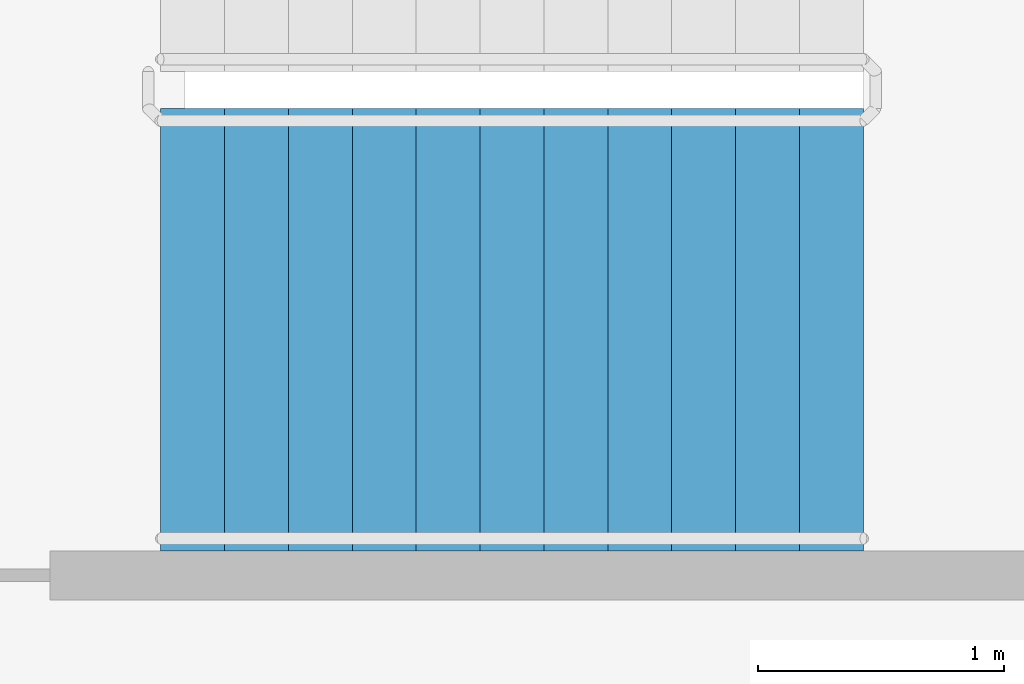
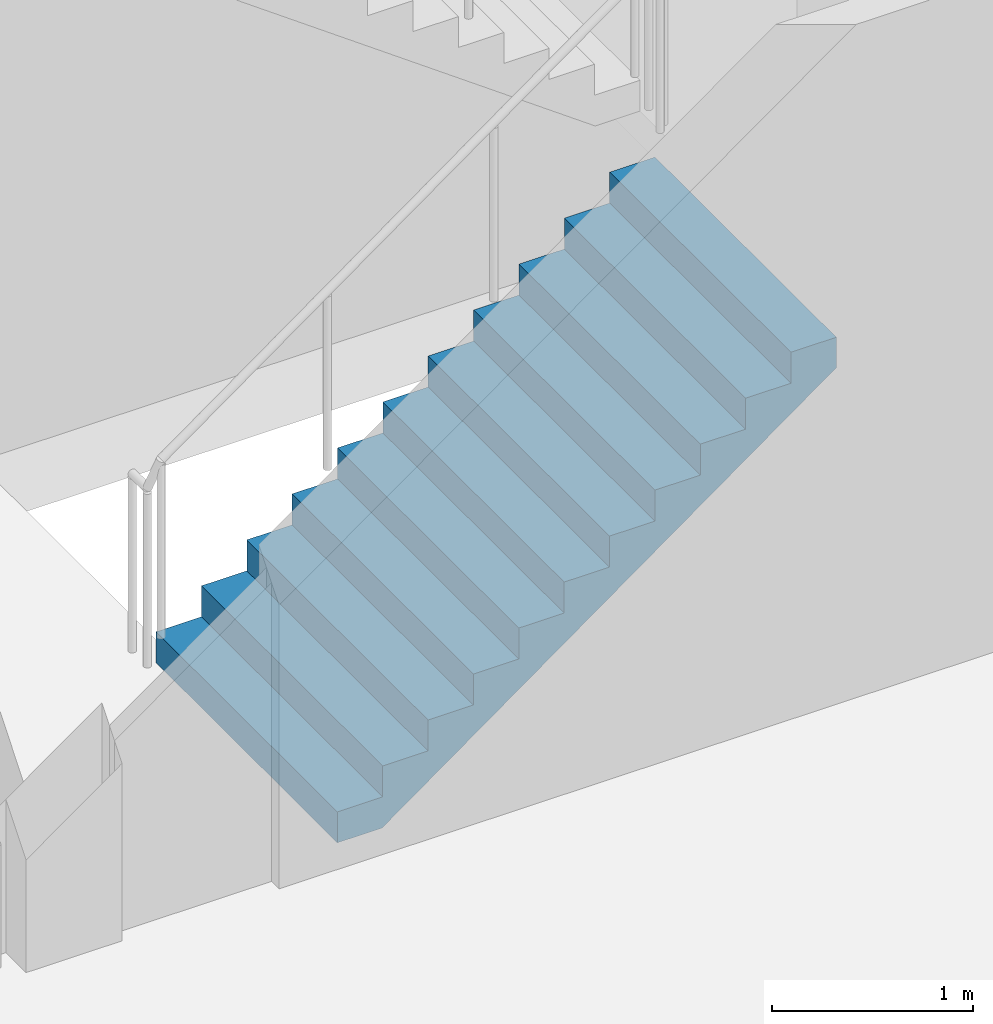
# One storey, part 27 of 51: 1 stair flight, 1 element without a shape of its own.
"""IFC4 building model written with IfcOpenShell, lengths in metres."""

from ifc_helpers import new_model, si_unit, direction, frame, origin, place, context, subcontext, project, spatial, faceted_brep, material, type_object, element, aggregate, save


model = new_model("IFC4")

# Units and contexts
model_context = context("Model", 3, precision=1e-05, world=origin(), true_north=direction((0.0, 1.0)))
body_context = subcontext(model_context, "Body", "Model", "MODEL_VIEW")
ifc_project = project(units=[si_unit("LENGTHUNIT", "METRE"), si_unit("AREAUNIT", "SQUARE_METRE"), si_unit("VOLUMEUNIT", "CUBIC_METRE"), si_unit("PLANEANGLEUNIT", "RADIAN"), si_unit("MASSUNIT", "GRAM", prefix="KILO")], contexts=[model_context])

# Site, building, storey
site_placement = place(None, origin())
site = spatial("IfcSite", under=ifc_project, at=site_placement, CompositionType="ELEMENT")
building_placement = place(site_placement, origin())
building = spatial("IfcBuilding", under=site, at=building_placement, Name="Ipe Terrace Towers", CompositionType="ELEMENT")
storey_placement = place(building_placement, frame((0.0, 0.0, 15.5)))
storey = spatial("IfcBuildingStorey", under=building, at=storey_placement, Name="L03", CompositionType="ELEMENT", Elevation=15.5)

# Stair, stair flight
ifc_material_1 = material(Name="Concrete C30/37", Category="concrete")
stair_type = type_object("IfcStairType", Name="Protected exit stair", PredefinedType="HALF_TURN_STAIR", material=ifc_material_1)
stair_placement = place(storey_placement, origin())
stair = element("IfcStair", 1, at=stair_placement, inside=storey, type_object=stair_type, Name="L03 Podium exit stair PS4", PredefinedType="HALF_TURN_STAIR")
ifc_material_2 = material(Name="Concrete C30/37", Category="concrete")
stair_flight_type = type_object("IfcStairFlightType", Name="Exit stair flight 1800", PredefinedType="STRAIGHT", material=ifc_material_2)
stair_flight_placement = place(storey_placement, frame((-57.27001953125, -22.5, 0.0), z_axis=(0.0, 0.0, 1.0), x_axis=(1.0, 0.0, 0.0)))
stair_flight = element("IfcStairFlight", 2, at=stair_flight_placement, type_object=stair_flight_type, Name="PS4 flight 1", NumberOfRisers=12, NumberOfTreads=11, PredefinedType="STRAIGHT", RiserHeight=0.1875, TreadLength=0.26, context=body_context, shape_type="Brep", body=[
    faceted_brep([(0.25634765625, -0.89990234375, 0.0), (2.860107421875, -0.89990234375, 1.877685546875), (2.860107421875, -0.89990234375, 2.0625), (2.60009765625, -0.89990234375, 2.0625), (2.60009765625, -0.89990234375, 1.875), (2.340087890625, -0.89990234375, 1.875), (2.340087890625, -0.89990234375, 1.6875), (2.080078125, -0.89990234375, 1.6875), (2.080078125, -0.89990234375, 1.5), (1.820068359375, -0.89990234375, 1.5), (1.820068359375, -0.89990234375, 1.3125), (1.56005859375, -0.89990234375, 1.3125), (1.56005859375, -0.89990234375, 1.125), (1.300048828125, -0.89990234375, 1.125), (1.300048828125, -0.89990234375, 0.9375), (1.0400390625, -0.89990234375, 0.9375), (1.0400390625, -0.89990234375, 0.75), (0.780029296875, -0.89990234375, 0.75), (0.780029296875, -0.89990234375, 0.5625), (0.52001953125, -0.89990234375, 0.5625), (0.52001953125, -0.89990234375, 0.375), (0.260009765625, -0.89990234375, 0.375), (0.260009765625, -0.89990234375, 0.1875), (0.0, -0.89990234375, 0.1875), (0.0, -0.89990234375, 0.0), (0.0, 0.89990234375, 0.0), (0.0, 0.89990234375, 0.1875), (0.260009765625, 0.89990234375, 0.1875), (0.260009765625, 0.89990234375, 0.375), (0.52001953125, 0.89990234375, 0.375), (0.52001953125, 0.89990234375, 0.5625), (0.780029296875, 0.89990234375, 0.5625), (0.780029296875, 0.89990234375, 0.75), (1.0400390625, 0.89990234375, 0.75), (1.0400390625, 0.89990234375, 0.9375), (1.300048828125, 0.89990234375, 0.9375), (1.300048828125, 0.89990234375, 1.125), (1.56005859375, 0.89990234375, 1.125), (1.56005859375, 0.89990234375, 1.3125), (1.820068359375, 0.89990234375, 1.3125), (1.820068359375, 0.89990234375, 1.5), (2.080078125, 0.89990234375, 1.5), (2.080078125, 0.89990234375, 1.6875), (2.340087890625, 0.89990234375, 1.6875), (2.340087890625, 0.89990234375, 1.875), (2.60009765625, 0.89990234375, 1.875), (2.60009765625, 0.89990234375, 2.0625), (2.860107421875, 0.89990234375, 2.0625), (2.860107421875, 0.89990234375, 1.877685546875), (0.25634765625, 0.89990234375, 0.0), (0.0, -0.300048828125, 0.1875), (0.0, -0.1201171875, 0.1875), (0.0, -0.06005859375, 0.1875), (0.0, -0.030029296875, 0.1875), (0.0, -0.010009765625, 0.1875), (0.0, 0.0, 0.1875), (0.0, 0.010009765625, 0.1875), (0.0, 0.030029296875, 0.1875), (0.0, 0.06005859375, 0.1875), (0.0, 0.1201171875, 0.1875), (0.0, 0.300048828125, 0.1875), (0.0, 0.300048828125, 0.0), (0.0, 0.1201171875, 0.0), (0.0, 0.06005859375, 0.0), (0.0, 0.030029296875, 0.0), (0.0, 0.010009765625, 0.0), (0.0, 0.0, 0.0), (0.0, -0.010009765625, 0.0), (0.0, -0.030029296875, 0.0), (0.0, -0.06005859375, 0.0), (0.0, -0.1201171875, 0.0), (0.0, -0.300048828125, 0.0), (0.260009765625, -0.300048828125, 0.1875), (0.260009765625, -0.1201171875, 0.1875), (0.260009765625, -0.06005859375, 0.1875), (0.260009765625, -0.030029296875, 0.1875), (0.260009765625, -0.010009765625, 0.1875), (0.260009765625, 0.0, 0.1875), (0.260009765625, 0.010009765625, 0.1875), (0.260009765625, 0.030029296875, 0.1875), (0.260009765625, 0.06005859375, 0.1875), (0.260009765625, 0.1201171875, 0.1875), (0.260009765625, 0.300048828125, 0.1875), (0.260009765625, -0.300048828125, 0.375), (0.260009765625, -0.1201171875, 0.375), (0.260009765625, -0.06005859375, 0.375), (0.260009765625, -0.030029296875, 0.375), (0.260009765625, -0.010009765625, 0.375), (0.260009765625, 0.0, 0.375), (0.260009765625, 0.010009765625, 0.375), (0.260009765625, 0.030029296875, 0.375), (0.260009765625, 0.06005859375, 0.375), (0.260009765625, 0.1201171875, 0.375), (0.260009765625, 0.300048828125, 0.375), (0.52001953125, -0.300048828125, 0.375), (0.52001953125, -0.1201171875, 0.375), (0.52001953125, -0.06005859375, 0.375), (0.52001953125, -0.030029296875, 0.375), (0.52001953125, -0.010009765625, 0.375), (0.52001953125, 0.0, 0.375), (0.52001953125, 0.010009765625, 0.375), (0.52001953125, 0.030029296875, 0.375), (0.52001953125, 0.06005859375, 0.375), (0.52001953125, 0.1201171875, 0.375), (0.52001953125, 0.300048828125, 0.375), (0.52001953125, -0.300048828125, 0.5625), (0.52001953125, -0.1201171875, 0.5625), (0.52001953125, -0.06005859375, 0.5625), (0.52001953125, -0.030029296875, 0.5625), (0.52001953125, -0.010009765625, 0.5625), (0.52001953125, 0.0, 0.5625), (0.52001953125, 0.010009765625, 0.5625), (0.52001953125, 0.030029296875, 0.5625), (0.52001953125, 0.06005859375, 0.5625), (0.52001953125, 0.1201171875, 0.5625), (0.52001953125, 0.300048828125, 0.5625), (0.780029296875, -0.300048828125, 0.5625), (0.780029296875, -0.1201171875, 0.5625), (0.780029296875, -0.06005859375, 0.5625), (0.780029296875, -0.030029296875, 0.5625), (0.780029296875, -0.010009765625, 0.5625), (0.780029296875, 0.0, 0.5625), (0.780029296875, 0.010009765625, 0.5625), (0.780029296875, 0.030029296875, 0.5625), (0.780029296875, 0.06005859375, 0.5625), (0.780029296875, 0.1201171875, 0.5625), (0.780029296875, 0.300048828125, 0.5625), (0.780029296875, -0.300048828125, 0.75), (0.780029296875, -0.1201171875, 0.75), (0.780029296875, -0.06005859375, 0.75), (0.780029296875, -0.030029296875, 0.75), (0.780029296875, -0.010009765625, 0.75), (0.780029296875, 0.0, 0.75), (0.780029296875, 0.010009765625, 0.75), (0.780029296875, 0.030029296875, 0.75), (0.780029296875, 0.06005859375, 0.75), (0.780029296875, 0.1201171875, 0.75), (0.780029296875, 0.300048828125, 0.75), (1.0400390625, -0.300048828125, 0.75), (1.0400390625, -0.1201171875, 0.75), (1.0400390625, -0.06005859375, 0.75), (1.0400390625, -0.030029296875, 0.75), (1.0400390625, -0.010009765625, 0.75), (1.0400390625, 0.0, 0.75), (1.0400390625, 0.010009765625, 0.75), (1.0400390625, 0.030029296875, 0.75), (1.0400390625, 0.06005859375, 0.75), (1.0400390625, 0.1201171875, 0.75), (1.0400390625, 0.300048828125, 0.75), (1.0400390625, -0.300048828125, 0.9375), (1.0400390625, -0.1201171875, 0.9375), (1.0400390625, -0.06005859375, 0.9375), (1.0400390625, -0.030029296875, 0.9375), (1.0400390625, -0.010009765625, 0.9375), (1.0400390625, 0.0, 0.9375), (1.0400390625, 0.010009765625, 0.9375), (1.0400390625, 0.030029296875, 0.9375), (1.0400390625, 0.06005859375, 0.9375), (1.0400390625, 0.1201171875, 0.9375), (1.0400390625, 0.300048828125, 0.9375), (1.300048828125, -0.300048828125, 0.9375), (1.300048828125, -0.1201171875, 0.9375), (1.300048828125, -0.06005859375, 0.9375), (1.300048828125, -0.030029296875, 0.9375), (1.300048828125, -0.010009765625, 0.9375), (1.300048828125, 0.0, 0.9375), (1.300048828125, 0.010009765625, 0.9375), (1.300048828125, 0.030029296875, 0.9375), (1.300048828125, 0.06005859375, 0.9375), (1.300048828125, 0.1201171875, 0.9375), (1.300048828125, 0.300048828125, 0.9375), (1.300048828125, -0.300048828125, 1.125), (1.300048828125, -0.1201171875, 1.125), (1.300048828125, -0.06005859375, 1.125), (1.300048828125, -0.030029296875, 1.125), (1.300048828125, -0.010009765625, 1.125), (1.300048828125, 0.0, 1.125), (1.300048828125, 0.010009765625, 1.125), (1.300048828125, 0.030029296875, 1.125), (1.300048828125, 0.06005859375, 1.125), (1.300048828125, 0.1201171875, 1.125), (1.300048828125, 0.300048828125, 1.125), (1.56005859375, -0.300048828125, 1.125), (1.56005859375, -0.1201171875, 1.125), (1.56005859375, -0.06005859375, 1.125), (1.56005859375, -0.030029296875, 1.125), (1.56005859375, -0.010009765625, 1.125), (1.56005859375, 0.0, 1.125), (1.56005859375, 0.010009765625, 1.125), (1.56005859375, 0.030029296875, 1.125), (1.56005859375, 0.06005859375, 1.125), (1.56005859375, 0.1201171875, 1.125), (1.56005859375, 0.300048828125, 1.125), (1.56005859375, -0.300048828125, 1.3125), (1.56005859375, -0.1201171875, 1.3125), (1.56005859375, -0.06005859375, 1.3125), (1.56005859375, -0.030029296875, 1.3125), (1.56005859375, -0.010009765625, 1.3125), (1.56005859375, 0.0, 1.3125), (1.56005859375, 0.010009765625, 1.3125), (1.56005859375, 0.030029296875, 1.3125), (1.56005859375, 0.06005859375, 1.3125), (1.56005859375, 0.1201171875, 1.3125), (1.56005859375, 0.300048828125, 1.3125), (1.820068359375, -0.300048828125, 1.3125), (1.820068359375, -0.1201171875, 1.3125), (1.820068359375, -0.06005859375, 1.3125), (1.820068359375, -0.030029296875, 1.3125), (1.820068359375, -0.010009765625, 1.3125), (1.820068359375, 0.0, 1.3125), (1.820068359375, 0.010009765625, 1.3125), (1.820068359375, 0.030029296875, 1.3125), (1.820068359375, 0.06005859375, 1.3125), (1.820068359375, 0.1201171875, 1.3125), (1.820068359375, 0.300048828125, 1.3125), (1.820068359375, -0.300048828125, 1.5), (1.820068359375, -0.1201171875, 1.5), (1.820068359375, -0.06005859375, 1.5), (1.820068359375, -0.030029296875, 1.5), (1.820068359375, -0.010009765625, 1.5), (1.820068359375, 0.0, 1.5), (1.820068359375, 0.010009765625, 1.5), (1.820068359375, 0.030029296875, 1.5), (1.820068359375, 0.06005859375, 1.5), (1.820068359375, 0.1201171875, 1.5), (1.820068359375, 0.300048828125, 1.5), (2.080078125, -0.300048828125, 1.5), (2.080078125, -0.1201171875, 1.5), (2.080078125, -0.06005859375, 1.5), (2.080078125, -0.030029296875, 1.5), (2.080078125, -0.010009765625, 1.5), (2.080078125, 0.0, 1.5), (2.080078125, 0.010009765625, 1.5), (2.080078125, 0.030029296875, 1.5), (2.080078125, 0.06005859375, 1.5), (2.080078125, 0.1201171875, 1.5), (2.080078125, 0.300048828125, 1.5), (2.080078125, -0.300048828125, 1.6875), (2.080078125, -0.1201171875, 1.6875), (2.080078125, -0.06005859375, 1.6875), (2.080078125, -0.030029296875, 1.6875), (2.080078125, -0.010009765625, 1.6875), (2.080078125, 0.0, 1.6875), (2.080078125, 0.010009765625, 1.6875), (2.080078125, 0.030029296875, 1.6875), (2.080078125, 0.06005859375, 1.6875), (2.080078125, 0.1201171875, 1.6875), (2.080078125, 0.300048828125, 1.6875), (2.340087890625, -0.300048828125, 1.6875), (2.340087890625, -0.1201171875, 1.6875), (2.340087890625, -0.06005859375, 1.6875), (2.340087890625, -0.030029296875, 1.6875), (2.340087890625, -0.010009765625, 1.6875), (2.340087890625, 0.0, 1.6875), (2.340087890625, 0.010009765625, 1.6875), (2.340087890625, 0.030029296875, 1.6875), (2.340087890625, 0.06005859375, 1.6875), (2.340087890625, 0.1201171875, 1.6875), (2.340087890625, 0.300048828125, 1.6875), (2.340087890625, -0.300048828125, 1.875), (2.340087890625, -0.1201171875, 1.875), (2.340087890625, -0.06005859375, 1.875), (2.340087890625, -0.030029296875, 1.875), (2.340087890625, -0.010009765625, 1.875), (2.340087890625, 0.0, 1.875), (2.340087890625, 0.010009765625, 1.875), (2.340087890625, 0.030029296875, 1.875), (2.340087890625, 0.06005859375, 1.875), (2.340087890625, 0.1201171875, 1.875), (2.340087890625, 0.300048828125, 1.875), (2.60009765625, -0.300048828125, 1.875), (2.60009765625, -0.1201171875, 1.875), (2.60009765625, -0.06005859375, 1.875), (2.60009765625, -0.030029296875, 1.875), (2.60009765625, -0.010009765625, 1.875), (2.60009765625, 0.0, 1.875), (2.60009765625, 0.010009765625, 1.875), (2.60009765625, 0.030029296875, 1.875), (2.60009765625, 0.06005859375, 1.875), (2.60009765625, 0.1201171875, 1.875), (2.60009765625, 0.300048828125, 1.875), (2.60009765625, -0.300048828125, 2.0625), (2.60009765625, -0.1201171875, 2.0625), (2.60009765625, -0.06005859375, 2.0625), (2.60009765625, -0.030029296875, 2.0625), (2.60009765625, -0.010009765625, 2.0625), (2.60009765625, 0.0, 2.0625), (2.60009765625, 0.010009765625, 2.0625), (2.60009765625, 0.030029296875, 2.0625), (2.60009765625, 0.06005859375, 2.0625), (2.60009765625, 0.1201171875, 2.0625), (2.60009765625, 0.300048828125, 2.0625), (2.860107421875, -0.300048828125, 2.0625), (2.860107421875, -0.1201171875, 2.0625), (2.860107421875, -0.06005859375, 2.0625), (2.860107421875, -0.030029296875, 2.0625), (2.860107421875, -0.010009765625, 2.0625), (2.860107421875, 0.0, 2.0625), (2.860107421875, 0.010009765625, 2.0625), (2.860107421875, 0.030029296875, 2.0625), (2.860107421875, 0.06005859375, 2.0625), (2.860107421875, 0.1201171875, 2.0625), (2.860107421875, 0.300048828125, 2.0625), (2.860107421875, -0.300048828125, 1.877685546875), (2.860107421875, -0.1201171875, 1.877685546875), (2.860107421875, -0.06005859375, 1.877685546875), (2.860107421875, -0.030029296875, 1.877685546875), (2.860107421875, -0.010009765625, 1.877685546875), (2.860107421875, 0.0, 1.877685546875), (2.860107421875, 0.010009765625, 1.877685546875), (2.860107421875, 0.030029296875, 1.877685546875), (2.860107421875, 0.06005859375, 1.877685546875), (2.860107421875, 0.1201171875, 1.877685546875), (2.860107421875, 0.300048828125, 1.877685546875), (0.25634765625, -0.300048828125, 0.0), (0.25634765625, -0.1201171875, 0.0), (0.25634765625, -0.06005859375, 0.0), (0.25634765625, -0.030029296875, 0.0), (0.25634765625, -0.010009765625, 0.0), (0.25634765625, 0.0, 0.0), (0.25634765625, 0.010009765625, 0.0), (0.25634765625, 0.030029296875, 0.0), (0.25634765625, 0.06005859375, 0.0), (0.25634765625, 0.1201171875, 0.0), (0.25634765625, 0.300048828125, 0.0)], [[[0, 1, 2, 3, 4, 5, 6, 7, 8, 9, 10, 11, 12, 13, 14, 15, 16, 17, 18, 19, 20, 21, 22, 23, 24]], [[25, 26, 27, 28, 29, 30, 31, 32, 33, 34, 35, 36, 37, 38, 39, 40, 41, 42, 43, 44, 45, 46, 47, 48, 49]], [[23, 50, 51, 52, 53, 54, 55, 56, 57, 58, 59, 60, 26, 25, 61, 62, 63, 64, 65, 66, 67, 68, 69, 70, 71, 24]], [[22, 72, 73, 74, 75, 76, 77, 78, 79, 80, 81, 82, 27, 26, 60, 59, 58, 57, 56, 55, 54, 53, 52, 51, 50, 23]], [[21, 83, 84, 85, 86, 87, 88, 89, 90, 91, 92, 93, 28, 27, 82, 81, 80, 79, 78, 77, 76, 75, 74, 73, 72, 22]], [[20, 94, 95, 96, 97, 98, 99, 100, 101, 102, 103, 104, 29, 28, 93, 92, 91, 90, 89, 88, 87, 86, 85, 84, 83, 21]], [[19, 105, 106, 107, 108, 109, 110, 111, 112, 113, 114, 115, 30, 29, 104, 103, 102, 101, 100, 99, 98, 97, 96, 95, 94, 20]], [[18, 116, 117, 118, 119, 120, 121, 122, 123, 124, 125, 126, 31, 30, 115, 114, 113, 112, 111, 110, 109, 108, 107, 106, 105, 19]], [[17, 127, 128, 129, 130, 131, 132, 133, 134, 135, 136, 137, 32, 31, 126, 125, 124, 123, 122, 121, 120, 119, 118, 117, 116, 18]], [[16, 138, 139, 140, 141, 142, 143, 144, 145, 146, 147, 148, 33, 32, 137, 136, 135, 134, 133, 132, 131, 130, 129, 128, 127, 17]], [[15, 149, 150, 151, 152, 153, 154, 155, 156, 157, 158, 159, 34, 33, 148, 147, 146, 145, 144, 143, 142, 141, 140, 139, 138, 16]], [[14, 160, 161, 162, 163, 164, 165, 166, 167, 168, 169, 170, 35, 34, 159, 158, 157, 156, 155, 154, 153, 152, 151, 150, 149, 15]], [[13, 171, 172, 173, 174, 175, 176, 177, 178, 179, 180, 181, 36, 35, 170, 169, 168, 167, 166, 165, 164, 163, 162, 161, 160, 14]], [[12, 182, 183, 184, 185, 186, 187, 188, 189, 190, 191, 192, 37, 36, 181, 180, 179, 178, 177, 176, 175, 174, 173, 172, 171, 13]], [[11, 193, 194, 195, 196, 197, 198, 199, 200, 201, 202, 203, 38, 37, 192, 191, 190, 189, 188, 187, 186, 185, 184, 183, 182, 12]], [[10, 204, 205, 206, 207, 208, 209, 210, 211, 212, 213, 214, 39, 38, 203, 202, 201, 200, 199, 198, 197, 196, 195, 194, 193, 11]], [[9, 215, 216, 217, 218, 219, 220, 221, 222, 223, 224, 225, 40, 39, 214, 213, 212, 211, 210, 209, 208, 207, 206, 205, 204, 10]], [[8, 226, 227, 228, 229, 230, 231, 232, 233, 234, 235, 236, 41, 40, 225, 224, 223, 222, 221, 220, 219, 218, 217, 216, 215, 9]], [[7, 237, 238, 239, 240, 241, 242, 243, 244, 245, 246, 247, 42, 41, 236, 235, 234, 233, 232, 231, 230, 229, 228, 227, 226, 8]], [[6, 248, 249, 250, 251, 252, 253, 254, 255, 256, 257, 258, 43, 42, 247, 246, 245, 244, 243, 242, 241, 240, 239, 238, 237, 7]], [[5, 259, 260, 261, 262, 263, 264, 265, 266, 267, 268, 269, 44, 43, 258, 257, 256, 255, 254, 253, 252, 251, 250, 249, 248, 6]], [[4, 270, 271, 272, 273, 274, 275, 276, 277, 278, 279, 280, 45, 44, 269, 268, 267, 266, 265, 264, 263, 262, 261, 260, 259, 5]], [[3, 281, 282, 283, 284, 285, 286, 287, 288, 289, 290, 291, 46, 45, 280, 279, 278, 277, 276, 275, 274, 273, 272, 271, 270, 4]], [[2, 292, 293, 294, 295, 296, 297, 298, 299, 300, 301, 302, 47, 46, 291, 290, 289, 288, 287, 286, 285, 284, 283, 282, 281, 3]], [[1, 303, 304, 305, 306, 307, 308, 309, 310, 311, 312, 313, 48, 47, 302, 301, 300, 299, 298, 297, 296, 295, 294, 293, 292, 2]], [[0, 314, 315, 316, 317, 318, 319, 320, 321, 322, 323, 324, 49, 48, 313, 312, 311, 310, 309, 308, 307, 306, 305, 304, 303, 1]], [[24, 71, 70, 69, 68, 67, 66, 65, 64, 63, 62, 61, 25, 49, 324, 323, 322, 321, 320, 319, 318, 317, 316, 315, 314, 0]]]),
])
aggregate(stair, [stair_flight])

save(model, "model.ifc")
